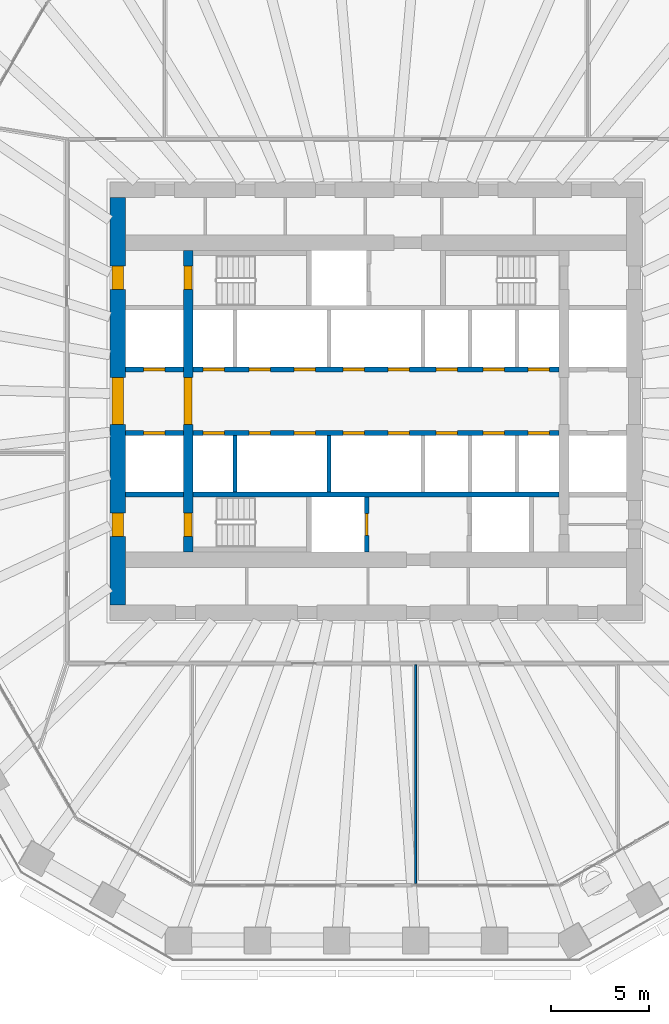
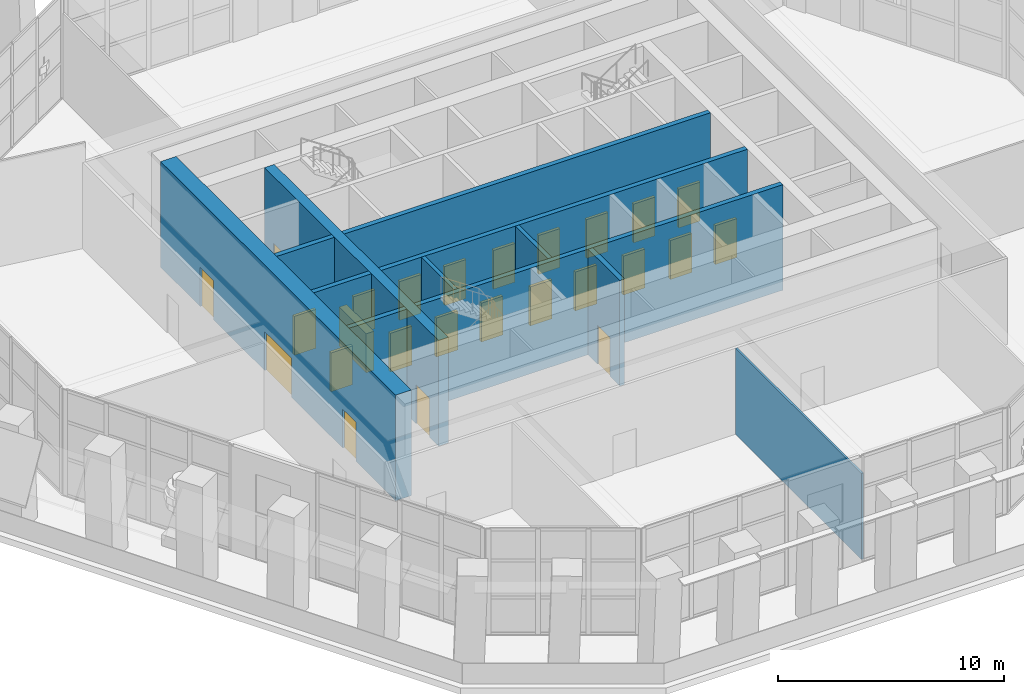
# One storey, part 14 of 22: 25 doors, 12 walls, 25 openings.
"""IFC4 building model written with IfcOpenShell, lengths in metres."""

from ifc_helpers import new_model, si_unit, direction, frame, frame_2d, origin, place, context, subcontext, project, spatial, rectangle, extrude, material, layer, layer_set, type_object, element, fill, save


model = new_model("IFC4")

# Units and contexts
model_context = context("Model", 3, precision=1e-05, world=origin(), true_north=direction((0.0, 1.0)))
body_context = subcontext(model_context, "Body", "Model", "MODEL_VIEW")
ifc_project = project(units=[si_unit("LENGTHUNIT", "METRE"), si_unit("AREAUNIT", "SQUARE_METRE"), si_unit("VOLUMEUNIT", "CUBIC_METRE"), si_unit("PLANEANGLEUNIT", "RADIAN"), si_unit("MASSUNIT", "GRAM", prefix="KILO")], contexts=[model_context])

# Site, building, storey
site_placement = place(None, origin())
site = spatial("IfcSite", under=ifc_project, at=site_placement, CompositionType="ELEMENT")
building_placement = place(site_placement, origin())
building = spatial("IfcBuilding", under=site, at=building_placement, Name="Frailejon Research Tower", CompositionType="ELEMENT")
storey_placement = place(building_placement, frame((0.0, 0.0, 107.199951171875)))
storey = spatial("IfcBuildingStorey", under=building, at=storey_placement, Name="L23", CompositionType="ELEMENT", Elevation=107.199951171875)

# Wall, openings, doors
ifc_material_1 = material(Name="Concrete C70/85", Category="concrete")
ifc_layer_1 = layer(ifc_material_1, 0.5)
ifc_layer_set_1 = layer_set([ifc_layer_1], Name="Core shear wall 500 C70/85")
wall_type_1 = type_object("IfcWallType", Name="Core shear wall 500 C70/85", PredefinedType="SHEAR", material=ifc_layer_set_1)
wall_1_placement = place(storey_placement, frame((-9.60009765625, -7.699951171875, 0.0), z_axis=(0.0, 0.0, 1.0), x_axis=(0.0, 1.0, 0.0)))
wall_1 = element("IfcWall", 1, at=wall_1_placement, inside=storey, type_object=wall_type_1, Name="Core shear wall", PredefinedType="SHEAR", context=body_context, shape_type="SweptSolid", body=[
    extrude(rectangle(XDim=15.39990234375, YDim=0.5, at=frame_2d((7.699951171875, 0.0))), origin(), (0.0, 0.0, 1.0), 5.699951171875),
])
opening_1_placement = place(wall_1_placement, frame((6.5, 0.0, 0.0)))
opening_1 = element("IfcOpeningElement", 2, at=opening_1_placement, cuts=wall_1, Name="Opening D2", PredefinedType="OPENING", context=body_context, shape_type="SweptSolid", body=[
    extrude(rectangle(XDim=2.39990234375, YDim=2.10009765625, at=frame_2d((1.199951171875, 1.050048828125))), frame((0.0, 0.260009765625, 0.0), z_axis=(0.0, -1.0, 0.0), x_axis=(1.0, 0.0, 0.0)), (0.0, 0.0, 1.0), 0.52001953125),
])
opening_2_placement = place(wall_1_placement, frame((13.39990234375, 0.0, 0.0)))
opening_2 = element("IfcOpeningElement", 3, at=opening_2_placement, cuts=wall_1, Name="Opening D1", PredefinedType="OPENING", context=body_context, shape_type="SweptSolid", body=[
    extrude(rectangle(XDim=1.199951171875, YDim=2.10009765625, at=frame_2d((0.60009765625, 1.050048828125))), frame((0.0, 0.260009765625, 0.0), z_axis=(0.0, -1.0, 0.0), x_axis=(1.0, 0.0, 0.0)), (0.0, 0.0, 1.0), 0.52001953125),
])
opening_3_placement = place(wall_1_placement, frame((0.800048828125, 0.0, 0.0)))
opening_3 = element("IfcOpeningElement", 4, at=opening_3_placement, cuts=wall_1, Name="Opening D1", PredefinedType="OPENING", context=body_context, shape_type="SweptSolid", body=[
    extrude(rectangle(XDim=1.199951171875, YDim=2.10009765625, at=frame_2d((0.60009765625, 1.050048828125))), frame((0.0, 0.260009765625, 0.0), z_axis=(0.0, -1.0, 0.0), x_axis=(1.0, 0.0, 0.0)), (0.0, 0.0, 1.0), 0.52001953125),
])
ifc_material_2 = material(Name="Steel", Category="steel")
door_type_1 = type_object("IfcDoorType", Name="Lobby double door", OperationType="DOUBLE_DOOR_SINGLE_SWING", PredefinedType="DOOR", material=ifc_material_2)
door_1_placement = place(opening_1_placement, origin())
door_1 = element("IfcDoor", 5, at=door_1_placement, inside=storey, type_object=door_type_1, Name="Lobby door", OperationType="DOUBLE_DOOR_SINGLE_SWING", OverallHeight=2.10009765625, OverallWidth=2.39990234375, PredefinedType="DOOR", context=body_context, shape_type="SweptSolid", body=[
    extrude(rectangle(XDim=2.39990234375, YDim=2.10009765625, at=frame_2d((1.199951171875, 1.050048828125))), frame((0.0, 0.199951171875, 0.0), z_axis=(0.0, -1.0, 0.0), x_axis=(1.0, 0.0, 0.0)), (0.0, 0.0, 1.0), 0.39990234375),
])
fill(opening_1, door_1)
ifc_material_3 = material(Name="Steel", Category="steel")
door_type_2 = type_object("IfcDoorType", Name="Stair door", OperationType="SINGLE_SWING_LEFT", PredefinedType="DOOR", material=ifc_material_3)
door_2_placement = place(opening_2_placement, origin())
door_2 = element("IfcDoor", 6, at=door_2_placement, inside=storey, type_object=door_type_2, Name="Stair door ST1", OperationType="SINGLE_SWING_RIGHT", OverallHeight=2.10009765625, OverallWidth=1.199951171875, PredefinedType="DOOR", context=body_context, shape_type="SweptSolid", body=[
    extrude(rectangle(XDim=1.199951171875, YDim=2.10009765625, at=frame_2d((0.60009765625, 1.050048828125))), frame((0.0, 0.199951171875, 0.0), z_axis=(0.0, -1.0, 0.0), x_axis=(1.0, 0.0, 0.0)), (0.0, 0.0, 1.0), 0.39990234375),
])
fill(opening_2, door_2)
door_3_placement = place(opening_3_placement, origin())
door_3 = element("IfcDoor", 7, at=door_3_placement, inside=storey, type_object=door_type_2, Name="Stair door ST2", OperationType="SINGLE_SWING_RIGHT", OverallHeight=2.10009765625, OverallWidth=1.199951171875, PredefinedType="DOOR", context=body_context, shape_type="SweptSolid", body=[
    extrude(rectangle(XDim=1.199951171875, YDim=2.10009765625, at=frame_2d((0.60009765625, 1.050048828125))), frame((0.0, 0.199951171875, 0.0), z_axis=(0.0, -1.0, 0.0), x_axis=(1.0, 0.0, 0.0)), (0.0, 0.0, 1.0), 0.39990234375),
])
fill(opening_3, door_3)

ifc_material_4 = material(Name="Concrete C70/85", Category="concrete")
ifc_layer_2 = layer(ifc_material_4, 0.800048828125)
ifc_layer_set_2 = layer_set([ifc_layer_2], Name="Core shear wall 800 C70/85")
wall_type_2 = type_object("IfcWallType", Name="Core shear wall 800 C70/85", PredefinedType="SHEAR", material=ifc_layer_set_2)
wall_2_placement = place(storey_placement, frame((-13.199951171875, -10.39990234375, 0.0), z_axis=(0.0, 0.0, 1.0), x_axis=(0.0, 1.0, 0.0)))
wall_2 = element("IfcWall", 8, at=wall_2_placement, inside=storey, type_object=wall_type_2, Name="Core shear wall", PredefinedType="SHEAR", context=body_context, shape_type="SweptSolid", body=[
    extrude(rectangle(XDim=20.7998046875, YDim=0.800048828125, at=frame_2d((10.39990234375, 0.0))), origin(), (0.0, 0.0, 1.0), 5.699951171875),
])
opening_4_placement = place(wall_2_placement, frame((9.199951171875, 0.0, 0.0)))
opening_4 = element("IfcOpeningElement", 9, at=opening_4_placement, cuts=wall_2, Name="Opening D2", PredefinedType="OPENING", context=body_context, shape_type="SweptSolid", body=[
    extrude(rectangle(XDim=2.39990234375, YDim=2.10009765625, at=frame_2d((1.199951171875, 1.050048828125))), frame((0.0, 0.409912109375, 0.0), z_axis=(0.0, -1.0, 0.0), x_axis=(1.0, 0.0, 0.0)), (0.0, 0.0, 1.0), 0.820068359375),
])
opening_5_placement = place(wall_2_placement, frame((16.10009765625, 0.0, 0.0)))
opening_5 = element("IfcOpeningElement", 10, at=opening_5_placement, cuts=wall_2, Name="Opening D7", PredefinedType="OPENING", context=body_context, shape_type="SweptSolid", body=[
    extrude(rectangle(XDim=1.199951171875, YDim=2.10009765625, at=frame_2d((0.60009765625, 1.050048828125))), frame((0.0, 0.409912109375, 0.0), z_axis=(0.0, -1.0, 0.0), x_axis=(1.0, 0.0, 0.0)), (0.0, 0.0, 1.0), 0.820068359375),
])
opening_6_placement = place(wall_2_placement, frame((3.5, 0.0, 0.0)))
opening_6 = element("IfcOpeningElement", 11, at=opening_6_placement, cuts=wall_2, Name="Opening D7", PredefinedType="OPENING", context=body_context, shape_type="SweptSolid", body=[
    extrude(rectangle(XDim=1.199951171875, YDim=2.10009765625, at=frame_2d((0.60009765625, 1.050048828125))), frame((0.0, 0.409912109375, 0.0), z_axis=(0.0, -1.0, 0.0), x_axis=(1.0, 0.0, 0.0)), (0.0, 0.0, 1.0), 0.820068359375),
])
door_4_placement = place(opening_4_placement, origin())
door_4 = element("IfcDoor", 12, at=door_4_placement, inside=storey, type_object=door_type_1, Name="Lobby door", OperationType="DOUBLE_DOOR_SINGLE_SWING", OverallHeight=2.10009765625, OverallWidth=2.39990234375, PredefinedType="DOOR", context=body_context, shape_type="SweptSolid", body=[
    extrude(rectangle(XDim=2.39990234375, YDim=2.10009765625, at=frame_2d((1.199951171875, 1.050048828125))), frame((0.0, 0.300048828125, 0.0), z_axis=(0.0, -1.0, 0.0), x_axis=(1.0, 0.0, 0.0)), (0.0, 0.0, 1.0), 0.60009765625),
])
fill(opening_4, door_4)
ifc_material_5 = material(Name="Steel", Category="steel")
door_type_3 = type_object("IfcDoorType", Name="Stair exit door", OperationType="SINGLE_SWING_LEFT", PredefinedType="DOOR", material=ifc_material_5)
door_5_placement = place(opening_5_placement, origin())
door_5 = element("IfcDoor", 13, at=door_5_placement, inside=storey, type_object=door_type_3, Name="Stair exit door ST1", OperationType="SINGLE_SWING_LEFT", OverallHeight=2.10009765625, OverallWidth=1.199951171875, PredefinedType="DOOR", context=body_context, shape_type="SweptSolid", body=[
    extrude(rectangle(XDim=1.199951171875, YDim=2.10009765625, at=frame_2d((0.60009765625, 1.050048828125))), frame((0.0, 0.300048828125, 0.0), z_axis=(0.0, -1.0, 0.0), x_axis=(1.0, 0.0, 0.0)), (0.0, 0.0, 1.0), 0.60009765625),
])
fill(opening_5, door_5)
door_6_placement = place(opening_6_placement, origin())
door_6 = element("IfcDoor", 14, at=door_6_placement, inside=storey, type_object=door_type_3, Name="Stair exit door ST2", OperationType="SINGLE_SWING_LEFT", OverallHeight=2.10009765625, OverallWidth=1.199951171875, PredefinedType="DOOR", context=body_context, shape_type="SweptSolid", body=[
    extrude(rectangle(XDim=1.199951171875, YDim=2.10009765625, at=frame_2d((0.60009765625, 1.050048828125))), frame((0.0, 0.300048828125, 0.0), z_axis=(0.0, -1.0, 0.0), x_axis=(1.0, 0.0, 0.0)), (0.0, 0.0, 1.0), 0.60009765625),
])
fill(opening_6, door_6)

# Walls
ifc_material_6 = material(Name="Gypsum board and masonry partition", Category="masonry")
ifc_layer_3 = layer(ifc_material_6, 0.10009765625)
ifc_layer_set_3 = layer_set([ifc_layer_3], Name="Partition, gypsum on steel studs 100")
wall_type_3 = type_object("IfcWallType", Name="Partition, gypsum on steel studs 100", PredefinedType="PARTITIONING", material=ifc_layer_set_3)
wall_3_placement = place(storey_placement, frame((2.020263671875, -24.629638671875, 0.0), z_axis=(0.0, 0.0, 1.0), x_axis=(0.0, 1.0, 0.0)))
element("IfcWall", 15, at=wall_3_placement, inside=storey, type_object=wall_type_3, Name="T:IW:L23:013", PredefinedType="PARTITIONING", context=body_context, shape_type="SweptSolid", body=[
    extrude(rectangle(XDim=11.154541015625, YDim=0.10009765625, at=frame_2d((5.5771484375, 0.0))), origin(), (0.0, 0.0, 1.0), 4.650146484375),
])
ifc_material_7 = material(Name="Concrete C70/85", Category="concrete")
ifc_layer_4 = layer(ifc_material_7, 0.199951171875)
ifc_layer_set_4 = layer_set([ifc_layer_4], Name="Shaft wall 200 C70/85")
wall_type_4 = type_object("IfcWallType", Name="Shaft wall 200 C70/85", PredefinedType="SOLIDWALL", material=ifc_layer_set_4)
for number, where, z_axis, x_axis, name in (
    (16, (-7.199951171875, -4.64990234375, 0.0), (0.0, 0.0, 1.0), (0.0, 1.0, 0.0), "Shaft wall"),
    (17, (-2.39990234375, -4.64990234375, 0.0), (0.0, 0.0, 1.0), (0.0, 1.0, 0.0), "Shaft wall"),
):
    element("IfcWall", number, at=place(storey_placement, frame(where, z_axis=z_axis, x_axis=x_axis)), inside=storey, type_object=wall_type_4, Name=name, PredefinedType="SOLIDWALL", context=body_context, shape_type="SweptSolid", body=[
        extrude(rectangle(XDim=2.89990234375, YDim=0.199951171875, at=frame_2d((1.449951171875, 0.0))), origin(), (0.0, 0.0, 1.0), 5.699951171875),
    ])

# Wall, opening, door
ifc_material_8 = material(Name="Concrete C70/85", Category="concrete")
ifc_layer_5 = layer(ifc_material_8, 0.25)
ifc_layer_set_5 = layer_set([ifc_layer_5], Name="Shaft wall 250 C70/85")
wall_type_5 = type_object("IfcWallType", Name="Shaft wall 250 C70/85", PredefinedType="SOLIDWALL", material=ifc_layer_set_5)
wall_4_placement = place(storey_placement, frame((-12.800048828125, 1.625, 0.0), z_axis=(0.0, 0.0, 1.0), x_axis=(1.0, 0.0, 0.0)))
wall_4 = element("IfcWall", 18, at=wall_4_placement, inside=storey, type_object=wall_type_5, Name="Shaft wall", PredefinedType="SOLIDWALL", context=body_context, shape_type="SweptSolid", body=[
    extrude(rectangle(XDim=2.949951171875, YDim=0.25, at=frame_2d((1.47509765625, 0.0))), origin(), (0.0, 0.0, 1.0), 5.699951171875),
])
opening_7_placement = place(wall_4_placement, frame((0.925048828125, 0.0, 0.0)))
opening_7 = element("IfcOpeningElement", 19, at=opening_7_placement, cuts=wall_4, Name="Opening LD", PredefinedType="OPENING", context=body_context, shape_type="SweptSolid", body=[
    extrude(rectangle(XDim=1.10009765625, YDim=2.10009765625, at=frame_2d((0.550048828125, 1.050048828125))), frame((0.0, 0.135009765625, 0.0), z_axis=(0.0, -1.0, 0.0), x_axis=(1.0, 0.0, 0.0)), (0.0, 0.0, 1.0), 0.27001953125),
])
ifc_material_9 = material(Name="Steel", Category="steel")
door_type_4 = type_object("IfcDoorType", Name="Lift landing door", OperationType="DOUBLE_DOOR_SLIDING", PredefinedType="DOOR", material=ifc_material_9)
door_7_placement = place(opening_7_placement, origin())
door_7 = element("IfcDoor", 20, at=door_7_placement, inside=storey, type_object=door_type_4, Name="Lift landing door", OperationType="DOUBLE_DOOR_SLIDING", OverallHeight=2.10009765625, OverallWidth=1.10009765625, PredefinedType="DOOR", context=body_context, shape_type="SweptSolid", body=[
    extrude(rectangle(XDim=1.10009765625, YDim=2.10009765625, at=frame_2d((0.550048828125, 1.050048828125))), frame((0.0, 0.074951171875, 0.0), z_axis=(0.0, -1.0, 0.0), x_axis=(1.0, 0.0, 0.0)), (0.0, 0.0, 1.0), 0.14990234375),
])
fill(opening_7, door_7)

# Wall, openings, doors
wall_5_placement = place(storey_placement, frame((-9.35009765625, 1.625, 0.0), z_axis=(0.0, 0.0, 1.0), x_axis=(1.0, 0.0, 0.0)))
wall_5 = element("IfcWall", 21, at=wall_5_placement, inside=storey, type_object=wall_type_5, Name="Shaft wall", PredefinedType="SOLIDWALL", context=body_context, shape_type="SweptSolid", body=[
    extrude(rectangle(XDim=18.7001953125, YDim=0.25, at=frame_2d((9.35009765625, 0.0))), origin(), (0.0, 0.0, 1.0), 5.699951171875),
])
opening_8_placement = place(wall_5_placement, frame((0.5, 0.0, 0.0)))
opening_8 = element("IfcOpeningElement", 22, at=opening_8_placement, cuts=wall_5, Name="Opening LD", PredefinedType="OPENING", context=body_context, shape_type="SweptSolid", body=[
    extrude(rectangle(XDim=1.10009765625, YDim=2.10009765625, at=frame_2d((0.550048828125, 1.050048828125))), frame((0.0, 0.135009765625, 0.0), z_axis=(0.0, -1.0, 0.0), x_axis=(1.0, 0.0, 0.0)), (0.0, 0.0, 1.0), 0.27001953125),
])
opening_9_placement = place(wall_5_placement, frame((2.85009765625, 0.0, 0.0)))
opening_9 = element("IfcOpeningElement", 23, at=opening_9_placement, cuts=wall_5, Name="Opening LD", PredefinedType="OPENING", context=body_context, shape_type="SweptSolid", body=[
    extrude(rectangle(XDim=1.10009765625, YDim=2.10009765625, at=frame_2d((0.550048828125, 1.050048828125))), frame((0.0, 0.135009765625, 0.0), z_axis=(0.0, -1.0, 0.0), x_axis=(1.0, 0.0, 0.0)), (0.0, 0.0, 1.0), 0.27001953125),
])
opening_10_placement = place(wall_5_placement, frame((5.14990234375, 0.0, 0.0)))
opening_10 = element("IfcOpeningElement", 24, at=opening_10_placement, cuts=wall_5, Name="Opening LD", PredefinedType="OPENING", context=body_context, shape_type="SweptSolid", body=[
    extrude(rectangle(XDim=1.10009765625, YDim=2.10009765625, at=frame_2d((0.550048828125, 1.050048828125))), frame((0.0, 0.135009765625, 0.0), z_axis=(0.0, -1.0, 0.0), x_axis=(1.0, 0.0, 0.0)), (0.0, 0.0, 1.0), 0.27001953125),
])
opening_11_placement = place(wall_5_placement, frame((7.64990234375, 0.0, 0.0)))
opening_11 = element("IfcOpeningElement", 25, at=opening_11_placement, cuts=wall_5, Name="Opening LD", PredefinedType="OPENING", context=body_context, shape_type="SweptSolid", body=[
    extrude(rectangle(XDim=1.10009765625, YDim=2.10009765625, at=frame_2d((0.550048828125, 1.050048828125))), frame((0.0, 0.135009765625, 0.0), z_axis=(0.0, -1.0, 0.0), x_axis=(1.0, 0.0, 0.0)), (0.0, 0.0, 1.0), 0.27001953125),
])
opening_12_placement = place(wall_5_placement, frame((9.949951171875, 0.0, 0.0)))
opening_12 = element("IfcOpeningElement", 26, at=opening_12_placement, cuts=wall_5, Name="Opening LD", PredefinedType="OPENING", context=body_context, shape_type="SweptSolid", body=[
    extrude(rectangle(XDim=1.10009765625, YDim=2.10009765625, at=frame_2d((0.550048828125, 1.050048828125))), frame((0.0, 0.135009765625, 0.0), z_axis=(0.0, -1.0, 0.0), x_axis=(1.0, 0.0, 0.0)), (0.0, 0.0, 1.0), 0.27001953125),
])
opening_13_placement = place(wall_5_placement, frame((12.39990234375, 0.0, 0.0)))
opening_13 = element("IfcOpeningElement", 27, at=opening_13_placement, cuts=wall_5, Name="Opening LD", PredefinedType="OPENING", context=body_context, shape_type="SweptSolid", body=[
    extrude(rectangle(XDim=1.10009765625, YDim=2.10009765625, at=frame_2d((0.550048828125, 1.050048828125))), frame((0.0, 0.135009765625, 0.0), z_axis=(0.0, -1.0, 0.0), x_axis=(1.0, 0.0, 0.0)), (0.0, 0.0, 1.0), 0.27001953125),
])
opening_14_placement = place(wall_5_placement, frame((14.800048828125, 0.0, 0.0)))
opening_14 = element("IfcOpeningElement", 28, at=opening_14_placement, cuts=wall_5, Name="Opening LD", PredefinedType="OPENING", context=body_context, shape_type="SweptSolid", body=[
    extrude(rectangle(XDim=1.10009765625, YDim=2.10009765625, at=frame_2d((0.550048828125, 1.050048828125))), frame((0.0, 0.135009765625, 0.0), z_axis=(0.0, -1.0, 0.0), x_axis=(1.0, 0.0, 0.0)), (0.0, 0.0, 1.0), 0.27001953125),
])
opening_15_placement = place(wall_5_placement, frame((17.10009765625, 0.0, 0.0)))
opening_15 = element("IfcOpeningElement", 29, at=opening_15_placement, cuts=wall_5, Name="Opening LD", PredefinedType="OPENING", context=body_context, shape_type="SweptSolid", body=[
    extrude(rectangle(XDim=1.10009765625, YDim=2.10009765625, at=frame_2d((0.550048828125, 1.050048828125))), frame((0.0, 0.135009765625, 0.0), z_axis=(0.0, -1.0, 0.0), x_axis=(1.0, 0.0, 0.0)), (0.0, 0.0, 1.0), 0.27001953125),
])
door_8_placement = place(opening_8_placement, origin())
door_8 = element("IfcDoor", 30, at=door_8_placement, inside=storey, type_object=door_type_4, Name="Lift landing door", OperationType="DOUBLE_DOOR_SLIDING", OverallHeight=2.10009765625, OverallWidth=1.10009765625, PredefinedType="DOOR", context=body_context, shape_type="SweptSolid", body=[
    extrude(rectangle(XDim=1.10009765625, YDim=2.10009765625, at=frame_2d((0.550048828125, 1.050048828125))), frame((0.0, 0.074951171875, 0.0), z_axis=(0.0, -1.0, 0.0), x_axis=(1.0, 0.0, 0.0)), (0.0, 0.0, 1.0), 0.14990234375),
])
fill(opening_8, door_8)
door_9_placement = place(opening_9_placement, origin())
door_9 = element("IfcDoor", 31, at=door_9_placement, inside=storey, type_object=door_type_4, Name="Lift landing door", OperationType="DOUBLE_DOOR_SLIDING", OverallHeight=2.10009765625, OverallWidth=1.10009765625, PredefinedType="DOOR", context=body_context, shape_type="SweptSolid", body=[
    extrude(rectangle(XDim=1.10009765625, YDim=2.10009765625, at=frame_2d((0.550048828125, 1.050048828125))), frame((0.0, 0.074951171875, 0.0), z_axis=(0.0, -1.0, 0.0), x_axis=(1.0, 0.0, 0.0)), (0.0, 0.0, 1.0), 0.14990234375),
])
fill(opening_9, door_9)
door_10_placement = place(opening_10_placement, origin())
door_10 = element("IfcDoor", 32, at=door_10_placement, inside=storey, type_object=door_type_4, Name="Lift landing door", OperationType="DOUBLE_DOOR_SLIDING", OverallHeight=2.10009765625, OverallWidth=1.10009765625, PredefinedType="DOOR", context=body_context, shape_type="SweptSolid", body=[
    extrude(rectangle(XDim=1.10009765625, YDim=2.10009765625, at=frame_2d((0.550048828125, 1.050048828125))), frame((0.0, 0.074951171875, 0.0), z_axis=(0.0, -1.0, 0.0), x_axis=(1.0, 0.0, 0.0)), (0.0, 0.0, 1.0), 0.14990234375),
])
fill(opening_10, door_10)
door_11_placement = place(opening_11_placement, origin())
door_11 = element("IfcDoor", 33, at=door_11_placement, inside=storey, type_object=door_type_4, Name="Lift landing door", OperationType="DOUBLE_DOOR_SLIDING", OverallHeight=2.10009765625, OverallWidth=1.10009765625, PredefinedType="DOOR", context=body_context, shape_type="SweptSolid", body=[
    extrude(rectangle(XDim=1.10009765625, YDim=2.10009765625, at=frame_2d((0.550048828125, 1.050048828125))), frame((0.0, 0.074951171875, 0.0), z_axis=(0.0, -1.0, 0.0), x_axis=(1.0, 0.0, 0.0)), (0.0, 0.0, 1.0), 0.14990234375),
])
fill(opening_11, door_11)
door_12_placement = place(opening_12_placement, origin())
door_12 = element("IfcDoor", 34, at=door_12_placement, inside=storey, type_object=door_type_4, Name="Lift landing door", OperationType="DOUBLE_DOOR_SLIDING", OverallHeight=2.10009765625, OverallWidth=1.10009765625, PredefinedType="DOOR", context=body_context, shape_type="SweptSolid", body=[
    extrude(rectangle(XDim=1.10009765625, YDim=2.10009765625, at=frame_2d((0.550048828125, 1.050048828125))), frame((0.0, 0.074951171875, 0.0), z_axis=(0.0, -1.0, 0.0), x_axis=(1.0, 0.0, 0.0)), (0.0, 0.0, 1.0), 0.14990234375),
])
fill(opening_12, door_12)
door_13_placement = place(opening_13_placement, origin())
door_13 = element("IfcDoor", 35, at=door_13_placement, inside=storey, type_object=door_type_4, Name="Lift landing door", OperationType="DOUBLE_DOOR_SLIDING", OverallHeight=2.10009765625, OverallWidth=1.10009765625, PredefinedType="DOOR", context=body_context, shape_type="SweptSolid", body=[
    extrude(rectangle(XDim=1.10009765625, YDim=2.10009765625, at=frame_2d((0.550048828125, 1.050048828125))), frame((0.0, 0.074951171875, 0.0), z_axis=(0.0, -1.0, 0.0), x_axis=(1.0, 0.0, 0.0)), (0.0, 0.0, 1.0), 0.14990234375),
])
fill(opening_13, door_13)
door_14_placement = place(opening_14_placement, origin())
door_14 = element("IfcDoor", 36, at=door_14_placement, inside=storey, type_object=door_type_4, Name="Lift landing door", OperationType="DOUBLE_DOOR_SLIDING", OverallHeight=2.10009765625, OverallWidth=1.10009765625, PredefinedType="DOOR", context=body_context, shape_type="SweptSolid", body=[
    extrude(rectangle(XDim=1.10009765625, YDim=2.10009765625, at=frame_2d((0.550048828125, 1.050048828125))), frame((0.0, 0.074951171875, 0.0), z_axis=(0.0, -1.0, 0.0), x_axis=(1.0, 0.0, 0.0)), (0.0, 0.0, 1.0), 0.14990234375),
])
fill(opening_14, door_14)
door_15_placement = place(opening_15_placement, origin())
door_15 = element("IfcDoor", 37, at=door_15_placement, inside=storey, type_object=door_type_4, Name="Lift landing door", OperationType="DOUBLE_DOOR_SLIDING", OverallHeight=2.10009765625, OverallWidth=1.10009765625, PredefinedType="DOOR", context=body_context, shape_type="SweptSolid", body=[
    extrude(rectangle(XDim=1.10009765625, YDim=2.10009765625, at=frame_2d((0.550048828125, 1.050048828125))), frame((0.0, 0.074951171875, 0.0), z_axis=(0.0, -1.0, 0.0), x_axis=(1.0, 0.0, 0.0)), (0.0, 0.0, 1.0), 0.14990234375),
])
fill(opening_15, door_15)

# Wall, opening, door
wall_6_placement = place(storey_placement, frame((-12.800048828125, -1.625, 0.0), z_axis=(0.0, 0.0, 1.0), x_axis=(1.0, 0.0, 0.0)))
wall_6 = element("IfcWall", 38, at=wall_6_placement, inside=storey, type_object=wall_type_5, Name="Shaft wall", PredefinedType="SOLIDWALL", context=body_context, shape_type="SweptSolid", body=[
    extrude(rectangle(XDim=2.949951171875, YDim=0.25, at=frame_2d((1.47509765625, 0.0))), origin(), (0.0, 0.0, 1.0), 5.699951171875),
])
opening_16_placement = place(wall_6_placement, frame((0.925048828125, 0.0, 0.0)))
opening_16 = element("IfcOpeningElement", 39, at=opening_16_placement, cuts=wall_6, Name="Opening LD", PredefinedType="OPENING", context=body_context, shape_type="SweptSolid", body=[
    extrude(rectangle(XDim=1.10009765625, YDim=2.10009765625, at=frame_2d((0.550048828125, 1.050048828125))), frame((0.0, 0.135009765625, 0.0), z_axis=(0.0, -1.0, 0.0), x_axis=(1.0, 0.0, 0.0)), (0.0, 0.0, 1.0), 0.27001953125),
])
door_16_placement = place(opening_16_placement, origin())
door_16 = element("IfcDoor", 40, at=door_16_placement, inside=storey, type_object=door_type_4, Name="Lift landing door", OperationType="DOUBLE_DOOR_SLIDING", OverallHeight=2.10009765625, OverallWidth=1.10009765625, PredefinedType="DOOR", context=body_context, shape_type="SweptSolid", body=[
    extrude(rectangle(XDim=1.10009765625, YDim=2.10009765625, at=frame_2d((0.550048828125, 1.050048828125))), frame((0.0, 0.074951171875, 0.0), z_axis=(0.0, -1.0, 0.0), x_axis=(1.0, 0.0, 0.0)), (0.0, 0.0, 1.0), 0.14990234375),
])
fill(opening_16, door_16)

# Wall, openings, doors
wall_7_placement = place(storey_placement, frame((-9.35009765625, -1.625, 0.0), z_axis=(0.0, 0.0, 1.0), x_axis=(1.0, 0.0, 0.0)))
wall_7 = element("IfcWall", 41, at=wall_7_placement, inside=storey, type_object=wall_type_5, Name="Shaft wall", PredefinedType="SOLIDWALL", context=body_context, shape_type="SweptSolid", body=[
    extrude(rectangle(XDim=18.7001953125, YDim=0.25, at=frame_2d((9.35009765625, 0.0))), origin(), (0.0, 0.0, 1.0), 5.699951171875),
])
opening_17_placement = place(wall_7_placement, frame((0.5, 0.0, 0.0)))
opening_17 = element("IfcOpeningElement", 42, at=opening_17_placement, cuts=wall_7, Name="Opening LD", PredefinedType="OPENING", context=body_context, shape_type="SweptSolid", body=[
    extrude(rectangle(XDim=1.10009765625, YDim=2.10009765625, at=frame_2d((0.550048828125, 1.050048828125))), frame((0.0, 0.135009765625, 0.0), z_axis=(0.0, -1.0, 0.0), x_axis=(1.0, 0.0, 0.0)), (0.0, 0.0, 1.0), 0.27001953125),
])
opening_18_placement = place(wall_7_placement, frame((2.85009765625, 0.0, 0.0)))
opening_18 = element("IfcOpeningElement", 43, at=opening_18_placement, cuts=wall_7, Name="Opening LD", PredefinedType="OPENING", context=body_context, shape_type="SweptSolid", body=[
    extrude(rectangle(XDim=1.10009765625, YDim=2.10009765625, at=frame_2d((0.550048828125, 1.050048828125))), frame((0.0, 0.135009765625, 0.0), z_axis=(0.0, -1.0, 0.0), x_axis=(1.0, 0.0, 0.0)), (0.0, 0.0, 1.0), 0.27001953125),
])
opening_19_placement = place(wall_7_placement, frame((5.14990234375, 0.0, 0.0)))
opening_19 = element("IfcOpeningElement", 44, at=opening_19_placement, cuts=wall_7, Name="Opening LD", PredefinedType="OPENING", context=body_context, shape_type="SweptSolid", body=[
    extrude(rectangle(XDim=1.10009765625, YDim=2.10009765625, at=frame_2d((0.550048828125, 1.050048828125))), frame((0.0, 0.135009765625, 0.0), z_axis=(0.0, -1.0, 0.0), x_axis=(1.0, 0.0, 0.0)), (0.0, 0.0, 1.0), 0.27001953125),
])
opening_20_placement = place(wall_7_placement, frame((7.64990234375, 0.0, 0.0)))
opening_20 = element("IfcOpeningElement", 45, at=opening_20_placement, cuts=wall_7, Name="Opening LD", PredefinedType="OPENING", context=body_context, shape_type="SweptSolid", body=[
    extrude(rectangle(XDim=1.10009765625, YDim=2.10009765625, at=frame_2d((0.550048828125, 1.050048828125))), frame((0.0, 0.135009765625, 0.0), z_axis=(0.0, -1.0, 0.0), x_axis=(1.0, 0.0, 0.0)), (0.0, 0.0, 1.0), 0.27001953125),
])
opening_21_placement = place(wall_7_placement, frame((9.949951171875, 0.0, 0.0)))
opening_21 = element("IfcOpeningElement", 46, at=opening_21_placement, cuts=wall_7, Name="Opening LD", PredefinedType="OPENING", context=body_context, shape_type="SweptSolid", body=[
    extrude(rectangle(XDim=1.10009765625, YDim=2.10009765625, at=frame_2d((0.550048828125, 1.050048828125))), frame((0.0, 0.135009765625, 0.0), z_axis=(0.0, -1.0, 0.0), x_axis=(1.0, 0.0, 0.0)), (0.0, 0.0, 1.0), 0.27001953125),
])
opening_22_placement = place(wall_7_placement, frame((12.39990234375, 0.0, 0.0)))
opening_22 = element("IfcOpeningElement", 47, at=opening_22_placement, cuts=wall_7, Name="Opening LD", PredefinedType="OPENING", context=body_context, shape_type="SweptSolid", body=[
    extrude(rectangle(XDim=1.10009765625, YDim=2.10009765625, at=frame_2d((0.550048828125, 1.050048828125))), frame((0.0, 0.135009765625, 0.0), z_axis=(0.0, -1.0, 0.0), x_axis=(1.0, 0.0, 0.0)), (0.0, 0.0, 1.0), 0.27001953125),
])
opening_23_placement = place(wall_7_placement, frame((14.800048828125, 0.0, 0.0)))
opening_23 = element("IfcOpeningElement", 48, at=opening_23_placement, cuts=wall_7, Name="Opening LD", PredefinedType="OPENING", context=body_context, shape_type="SweptSolid", body=[
    extrude(rectangle(XDim=1.10009765625, YDim=2.10009765625, at=frame_2d((0.550048828125, 1.050048828125))), frame((0.0, 0.135009765625, 0.0), z_axis=(0.0, -1.0, 0.0), x_axis=(1.0, 0.0, 0.0)), (0.0, 0.0, 1.0), 0.27001953125),
])
opening_24_placement = place(wall_7_placement, frame((17.10009765625, 0.0, 0.0)))
opening_24 = element("IfcOpeningElement", 49, at=opening_24_placement, cuts=wall_7, Name="Opening LD", PredefinedType="OPENING", context=body_context, shape_type="SweptSolid", body=[
    extrude(rectangle(XDim=1.10009765625, YDim=2.10009765625, at=frame_2d((0.550048828125, 1.050048828125))), frame((0.0, 0.135009765625, 0.0), z_axis=(0.0, -1.0, 0.0), x_axis=(1.0, 0.0, 0.0)), (0.0, 0.0, 1.0), 0.27001953125),
])
door_17_placement = place(opening_17_placement, origin())
door_17 = element("IfcDoor", 50, at=door_17_placement, inside=storey, type_object=door_type_4, Name="Lift landing door", OperationType="DOUBLE_DOOR_SLIDING", OverallHeight=2.10009765625, OverallWidth=1.10009765625, PredefinedType="DOOR", context=body_context, shape_type="SweptSolid", body=[
    extrude(rectangle(XDim=1.10009765625, YDim=2.10009765625, at=frame_2d((0.550048828125, 1.050048828125))), frame((0.0, 0.074951171875, 0.0), z_axis=(0.0, -1.0, 0.0), x_axis=(1.0, 0.0, 0.0)), (0.0, 0.0, 1.0), 0.14990234375),
])
fill(opening_17, door_17)
door_18_placement = place(opening_18_placement, origin())
door_18 = element("IfcDoor", 51, at=door_18_placement, inside=storey, type_object=door_type_4, Name="Lift landing door", OperationType="DOUBLE_DOOR_SLIDING", OverallHeight=2.10009765625, OverallWidth=1.10009765625, PredefinedType="DOOR", context=body_context, shape_type="SweptSolid", body=[
    extrude(rectangle(XDim=1.10009765625, YDim=2.10009765625, at=frame_2d((0.550048828125, 1.050048828125))), frame((0.0, 0.074951171875, 0.0), z_axis=(0.0, -1.0, 0.0), x_axis=(1.0, 0.0, 0.0)), (0.0, 0.0, 1.0), 0.14990234375),
])
fill(opening_18, door_18)
door_19_placement = place(opening_19_placement, origin())
door_19 = element("IfcDoor", 52, at=door_19_placement, inside=storey, type_object=door_type_4, Name="Lift landing door", OperationType="DOUBLE_DOOR_SLIDING", OverallHeight=2.10009765625, OverallWidth=1.10009765625, PredefinedType="DOOR", context=body_context, shape_type="SweptSolid", body=[
    extrude(rectangle(XDim=1.10009765625, YDim=2.10009765625, at=frame_2d((0.550048828125, 1.050048828125))), frame((0.0, 0.074951171875, 0.0), z_axis=(0.0, -1.0, 0.0), x_axis=(1.0, 0.0, 0.0)), (0.0, 0.0, 1.0), 0.14990234375),
])
fill(opening_19, door_19)
door_20_placement = place(opening_20_placement, origin())
door_20 = element("IfcDoor", 53, at=door_20_placement, inside=storey, type_object=door_type_4, Name="Lift landing door", OperationType="DOUBLE_DOOR_SLIDING", OverallHeight=2.10009765625, OverallWidth=1.10009765625, PredefinedType="DOOR", context=body_context, shape_type="SweptSolid", body=[
    extrude(rectangle(XDim=1.10009765625, YDim=2.10009765625, at=frame_2d((0.550048828125, 1.050048828125))), frame((0.0, 0.074951171875, 0.0), z_axis=(0.0, -1.0, 0.0), x_axis=(1.0, 0.0, 0.0)), (0.0, 0.0, 1.0), 0.14990234375),
])
fill(opening_20, door_20)
door_21_placement = place(opening_21_placement, origin())
door_21 = element("IfcDoor", 54, at=door_21_placement, inside=storey, type_object=door_type_4, Name="Lift landing door", OperationType="DOUBLE_DOOR_SLIDING", OverallHeight=2.10009765625, OverallWidth=1.10009765625, PredefinedType="DOOR", context=body_context, shape_type="SweptSolid", body=[
    extrude(rectangle(XDim=1.10009765625, YDim=2.10009765625, at=frame_2d((0.550048828125, 1.050048828125))), frame((0.0, 0.074951171875, 0.0), z_axis=(0.0, -1.0, 0.0), x_axis=(1.0, 0.0, 0.0)), (0.0, 0.0, 1.0), 0.14990234375),
])
fill(opening_21, door_21)
door_22_placement = place(opening_22_placement, origin())
door_22 = element("IfcDoor", 55, at=door_22_placement, inside=storey, type_object=door_type_4, Name="Lift landing door", OperationType="DOUBLE_DOOR_SLIDING", OverallHeight=2.10009765625, OverallWidth=1.10009765625, PredefinedType="DOOR", context=body_context, shape_type="SweptSolid", body=[
    extrude(rectangle(XDim=1.10009765625, YDim=2.10009765625, at=frame_2d((0.550048828125, 1.050048828125))), frame((0.0, 0.074951171875, 0.0), z_axis=(0.0, -1.0, 0.0), x_axis=(1.0, 0.0, 0.0)), (0.0, 0.0, 1.0), 0.14990234375),
])
fill(opening_22, door_22)
door_23_placement = place(opening_23_placement, origin())
door_23 = element("IfcDoor", 56, at=door_23_placement, inside=storey, type_object=door_type_4, Name="Lift landing door", OperationType="DOUBLE_DOOR_SLIDING", OverallHeight=2.10009765625, OverallWidth=1.10009765625, PredefinedType="DOOR", context=body_context, shape_type="SweptSolid", body=[
    extrude(rectangle(XDim=1.10009765625, YDim=2.10009765625, at=frame_2d((0.550048828125, 1.050048828125))), frame((0.0, 0.074951171875, 0.0), z_axis=(0.0, -1.0, 0.0), x_axis=(1.0, 0.0, 0.0)), (0.0, 0.0, 1.0), 0.14990234375),
])
fill(opening_23, door_23)
door_24_placement = place(opening_24_placement, origin())
door_24 = element("IfcDoor", 57, at=door_24_placement, inside=storey, type_object=door_type_4, Name="Lift landing door", OperationType="DOUBLE_DOOR_SLIDING", OverallHeight=2.10009765625, OverallWidth=1.10009765625, PredefinedType="DOOR", context=body_context, shape_type="SweptSolid", body=[
    extrude(rectangle(XDim=1.10009765625, YDim=2.10009765625, at=frame_2d((0.550048828125, 1.050048828125))), frame((0.0, 0.074951171875, 0.0), z_axis=(0.0, -1.0, 0.0), x_axis=(1.0, 0.0, 0.0)), (0.0, 0.0, 1.0), 0.14990234375),
])
fill(opening_24, door_24)

# Walls
wall_8_placement = place(storey_placement, frame((-12.800048828125, -4.77490234375, 0.0), z_axis=(0.0, 0.0, 1.0), x_axis=(1.0, 0.0, 0.0)))
element("IfcWall", 58, at=wall_8_placement, inside=storey, type_object=wall_type_5, Name="Shaft wall", PredefinedType="SOLIDWALL", context=body_context, shape_type="SweptSolid", body=[
    extrude(rectangle(XDim=2.949951171875, YDim=0.25, at=frame_2d((1.47509765625, 0.0))), origin(), (0.0, 0.0, 1.0), 5.699951171875),
])
wall_9_placement = place(storey_placement, frame((-9.35009765625, -4.77490234375, 0.0), z_axis=(0.0, 0.0, 1.0), x_axis=(1.0, 0.0, 0.0)))
element("IfcWall", 59, at=wall_9_placement, inside=storey, type_object=wall_type_5, Name="Shaft wall", PredefinedType="SOLIDWALL", context=body_context, shape_type="SweptSolid", body=[
    extrude(rectangle(XDim=18.7001953125, YDim=0.25, at=frame_2d((9.35009765625, 0.0))), origin(), (0.0, 0.0, 1.0), 5.699951171875),
])

# Wall, opening, door
wall_10_placement = place(storey_placement, frame((-0.47509765625, -7.699951171875, 0.0), z_axis=(0.0, 0.0, 1.0), x_axis=(0.0, 1.0, 0.0)))
wall_10 = element("IfcWall", 60, at=wall_10_placement, inside=storey, type_object=wall_type_5, Name="Shaft wall", PredefinedType="SOLIDWALL", context=body_context, shape_type="SweptSolid", body=[
    extrude(rectangle(XDim=2.800048828125, YDim=0.25, at=frame_2d((1.39990234375, 0.0))), origin(), (0.0, 0.0, 1.0), 5.699951171875),
])
opening_25_placement = place(wall_10_placement, frame((0.85009765625, 0.0, 0.0)))
opening_25 = element("IfcOpeningElement", 61, at=opening_25_placement, cuts=wall_10, Name="Opening LD", PredefinedType="OPENING", context=body_context, shape_type="SweptSolid", body=[
    extrude(rectangle(XDim=1.10009765625, YDim=2.10009765625, at=frame_2d((0.550048828125, 1.050048828125))), frame((0.0, 0.135009765625, 0.0), z_axis=(0.0, -1.0, 0.0), x_axis=(1.0, 0.0, 0.0)), (0.0, 0.0, 1.0), 0.27001953125),
])
door_25_placement = place(opening_25_placement, origin())
door_25 = element("IfcDoor", 62, at=door_25_placement, inside=storey, type_object=door_type_4, Name="Lift landing door", OperationType="DOUBLE_DOOR_SLIDING", OverallHeight=2.10009765625, OverallWidth=1.10009765625, PredefinedType="DOOR", context=body_context, shape_type="SweptSolid", body=[
    extrude(rectangle(XDim=1.10009765625, YDim=2.10009765625, at=frame_2d((0.550048828125, 1.050048828125))), frame((0.0, 0.074951171875, 0.0), z_axis=(0.0, -1.0, 0.0), x_axis=(1.0, 0.0, 0.0)), (0.0, 0.0, 1.0), 0.14990234375),
])
fill(opening_25, door_25)

save(model, "model.ifc")
